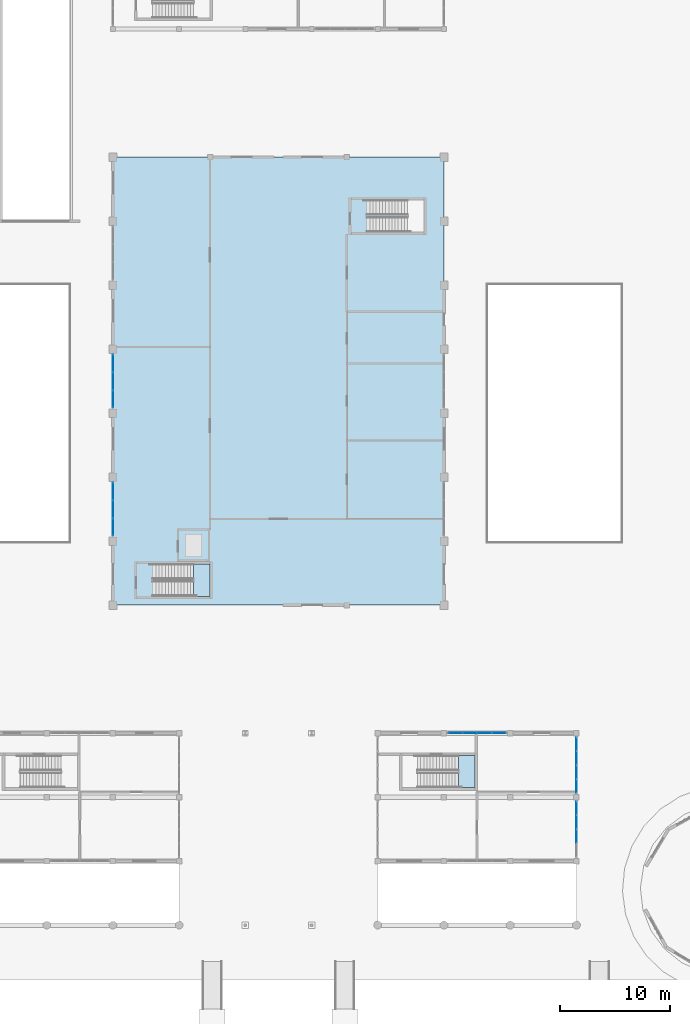
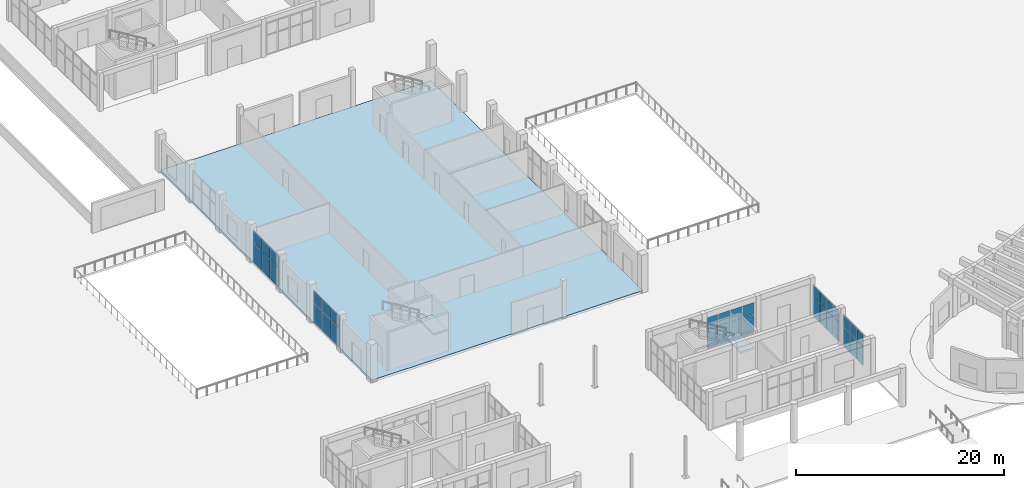
# One storey, part 73 of 132: 34 plates, 3 slabs, 7 elements without a shape of their own.
"""IFC4 building model written with IfcOpenShell, lengths in metres."""

from ifc_helpers import new_model, si_unit, direction, frame, origin, origin_2d, place, context, subcontext, project, spatial, polyline, rectangle, outline, extrude, material, layer, layer_set, type_object, element, aggregate, save


model = new_model("IFC4")

# Units and contexts
model_context = context("Model", 3, precision=1e-05, world=origin(), true_north=direction((0.0, 1.0)))
body_context = subcontext(model_context, "Body", "Model", "MODEL_VIEW")
ifc_project = project(units=[si_unit("LENGTHUNIT", "METRE"), si_unit("AREAUNIT", "SQUARE_METRE"), si_unit("VOLUMEUNIT", "CUBIC_METRE"), si_unit("PLANEANGLEUNIT", "RADIAN"), si_unit("MASSUNIT", "GRAM", prefix="KILO")], contexts=[model_context])

# Site, building, storey
site_placement = place(None, origin())
site = spatial("IfcSite", under=ifc_project, at=site_placement, CompositionType="ELEMENT")
building_placement = place(site_placement, origin())
building = spatial("IfcBuilding", under=site, at=building_placement, Name="Tanwirah Colonnade Gardens", CompositionType="ELEMENT")
storey_placement = place(building_placement, origin())
storey = spatial("IfcBuildingStorey", under=building, at=storey_placement, Name="L00", CompositionType="ELEMENT", Elevation=0.0)

# Curtain wall, plates
ifc_material_1 = material(Name="Bronze-anodised aluminium and solar-control low-E glass", Category="aluminium")
curtain_wall_type_1 = type_object("IfcCurtainWallType", Name="CW-SHP", PredefinedType="NOTDEFINED", material=ifc_material_1)
curtain_wall_1_placement = place(storey_placement, origin())
curtain_wall_1 = element("IfcCurtainWall", 1, at=curtain_wall_1_placement, inside=storey, type_object=curtain_wall_type_1, Name="Curtain Wall CW-SHP-E-L00-N-1", PredefinedType="NOTDEFINED")
ifc_material_2 = material(Name="Solar-control low-E double glazing", Category="glass")
ifc_layer_1 = layer(ifc_material_2, 0.028076171875)
ifc_layer_set_1 = layer_set([ifc_layer_1], Name="Solar-control low-E double glazing")
plate_type_1 = type_object("IfcPlateType", Name="CWP-GLZ28", PredefinedType="CURTAIN_PANEL", material=ifc_layer_set_1)
plate_1_placement = place(storey_placement, frame((109.027587890625, 28.199951171875, 0.06005859375), z_axis=(0.0, 0.0, 1.0), x_axis=(1.0, 0.0, 0.0)))
plate_1 = element("IfcPlate", 2, at=plate_1_placement, type_object=plate_type_1, Name="CW-SHP panel 1.1", PredefinedType="CURTAIN_PANEL", context=body_context, shape_type="SweptSolid", body=[
    extrude(rectangle(XDim=1.235107421875, YDim=0.028076171875, at=origin_2d()), origin(), (0.0, 0.0, 1.0), 2.235107421875),
])
plate_2_placement = place(storey_placement, frame((109.027587890625, 28.199951171875, 2.35498046875), z_axis=(0.0, 0.0, 1.0), x_axis=(1.0, 0.0, 0.0)))
plate_2 = element("IfcPlate", 3, at=plate_2_placement, type_object=plate_type_1, Name="CW-SHP panel 1.2", PredefinedType="CURTAIN_PANEL", context=body_context, shape_type="SweptSolid", body=[
    extrude(rectangle(XDim=1.235107421875, YDim=0.028076171875, at=origin_2d()), origin(), (0.0, 0.0, 1.0), 1.3349609375),
])
plate_3_placement = place(storey_placement, frame((110.33740234375, 28.199951171875, 0.06005859375), z_axis=(0.0, 0.0, 1.0), x_axis=(1.0, 0.0, 0.0)))
plate_3 = element("IfcPlate", 4, at=plate_3_placement, type_object=plate_type_1, Name="CW-SHP panel 2.1", PredefinedType="CURTAIN_PANEL", context=body_context, shape_type="SweptSolid", body=[
    extrude(rectangle(XDim=1.264892578125, YDim=0.028076171875, at=origin_2d()), origin(), (0.0, 0.0, 1.0), 2.235107421875),
])
plate_4_placement = place(storey_placement, frame((110.33740234375, 28.199951171875, 2.35498046875), z_axis=(0.0, 0.0, 1.0), x_axis=(1.0, 0.0, 0.0)))
plate_4 = element("IfcPlate", 5, at=plate_4_placement, type_object=plate_type_1, Name="CW-SHP panel 2.2", PredefinedType="CURTAIN_PANEL", context=body_context, shape_type="SweptSolid", body=[
    extrude(rectangle(XDim=1.264892578125, YDim=0.028076171875, at=origin_2d()), origin(), (0.0, 0.0, 1.0), 1.3349609375),
])
plate_5_placement = place(storey_placement, frame((111.66259765625, 28.199951171875, 0.06005859375), z_axis=(0.0, 0.0, 1.0), x_axis=(1.0, 0.0, 0.0)))
plate_5 = element("IfcPlate", 6, at=plate_5_placement, type_object=plate_type_1, Name="CW-SHP panel 3.1", PredefinedType="CURTAIN_PANEL", context=body_context, shape_type="SweptSolid", body=[
    extrude(rectangle(XDim=1.264892578125, YDim=0.028076171875, at=origin_2d()), origin(), (0.0, 0.0, 1.0), 2.235107421875),
])
plate_6_placement = place(storey_placement, frame((111.66259765625, 28.199951171875, 2.35498046875), z_axis=(0.0, 0.0, 1.0), x_axis=(1.0, 0.0, 0.0)))
plate_6 = element("IfcPlate", 7, at=plate_6_placement, type_object=plate_type_1, Name="CW-SHP panel 3.2", PredefinedType="CURTAIN_PANEL", context=body_context, shape_type="SweptSolid", body=[
    extrude(rectangle(XDim=1.264892578125, YDim=0.028076171875, at=origin_2d()), origin(), (0.0, 0.0, 1.0), 1.3349609375),
])
plate_7_placement = place(storey_placement, frame((112.972412109375, 28.199951171875, 0.06005859375), z_axis=(0.0, 0.0, 1.0), x_axis=(1.0, 0.0, 0.0)))
plate_7 = element("IfcPlate", 8, at=plate_7_placement, type_object=plate_type_1, Name="CW-SHP panel 4.1", PredefinedType="CURTAIN_PANEL", context=body_context, shape_type="SweptSolid", body=[
    extrude(rectangle(XDim=1.235107421875, YDim=0.028076171875, at=origin_2d()), origin(), (0.0, 0.0, 1.0), 2.235107421875),
])
plate_8_placement = place(storey_placement, frame((112.972412109375, 28.199951171875, 2.35498046875), z_axis=(0.0, 0.0, 1.0), x_axis=(1.0, 0.0, 0.0)))
plate_8 = element("IfcPlate", 9, at=plate_8_placement, type_object=plate_type_1, Name="CW-SHP panel 4.2", PredefinedType="CURTAIN_PANEL", context=body_context, shape_type="SweptSolid", body=[
    extrude(rectangle(XDim=1.235107421875, YDim=0.028076171875, at=origin_2d()), origin(), (0.0, 0.0, 1.0), 1.3349609375),
])
aggregate(curtain_wall_1, [plate_1, plate_2, plate_3, plate_4, plate_5, plate_6, plate_7, plate_8])

curtain_wall_2_placement = place(storey_placement, origin())
curtain_wall_2 = element("IfcCurtainWall", 10, at=curtain_wall_2_placement, inside=storey, type_object=curtain_wall_type_1, Name="Curtain Wall CW-SHP-E-L00-E-1", PredefinedType="NOTDEFINED")
plate_9_placement = place(storey_placement, frame((120.0, 18.862548828125, 0.06005859375), z_axis=(0.0, 0.0, 1.0), x_axis=(0.0, 1.0, 0.0)))
plate_9 = element("IfcPlate", 11, at=plate_9_placement, type_object=plate_type_1, Name="CW-SHP panel 2.1", PredefinedType="CURTAIN_PANEL", context=body_context, shape_type="SweptSolid", body=[
    extrude(rectangle(XDim=1.215087890625, YDim=0.028076171875, at=origin_2d()), origin(), (0.0, 0.0, 1.0), 2.235107421875),
])
plate_10_placement = place(storey_placement, frame((120.0, 18.862548828125, 2.35498046875), z_axis=(0.0, 0.0, 1.0), x_axis=(0.0, 1.0, 0.0)))
plate_10 = element("IfcPlate", 12, at=plate_10_placement, type_object=plate_type_1, Name="CW-SHP panel 2.2", PredefinedType="CURTAIN_PANEL", context=body_context, shape_type="SweptSolid", body=[
    extrude(rectangle(XDim=1.215087890625, YDim=0.028076171875, at=origin_2d()), origin(), (0.0, 0.0, 1.0), 1.3349609375),
])
plate_11_placement = place(storey_placement, frame((120.0, 20.137451171875, 0.06005859375), z_axis=(0.0, 0.0, 1.0), x_axis=(0.0, 1.0, 0.0)))
plate_11 = element("IfcPlate", 13, at=plate_11_placement, type_object=plate_type_1, Name="CW-SHP panel 3.1", PredefinedType="CURTAIN_PANEL", context=body_context, shape_type="SweptSolid", body=[
    extrude(rectangle(XDim=1.215087890625, YDim=0.028076171875, at=origin_2d()), origin(), (0.0, 0.0, 1.0), 2.235107421875),
])
plate_12_placement = place(storey_placement, frame((120.0, 20.137451171875, 2.35498046875), z_axis=(0.0, 0.0, 1.0), x_axis=(0.0, 1.0, 0.0)))
plate_12 = element("IfcPlate", 14, at=plate_12_placement, type_object=plate_type_1, Name="CW-SHP panel 3.2", PredefinedType="CURTAIN_PANEL", context=body_context, shape_type="SweptSolid", body=[
    extrude(rectangle(XDim=1.215087890625, YDim=0.028076171875, at=origin_2d()), origin(), (0.0, 0.0, 1.0), 1.3349609375),
])
plate_13_placement = place(storey_placement, frame((120.0, 21.3974609375, 0.06005859375), z_axis=(0.0, 0.0, 1.0), x_axis=(0.0, 1.0, 0.0)))
plate_13 = element("IfcPlate", 15, at=plate_13_placement, type_object=plate_type_1, Name="CW-SHP panel 4.1", PredefinedType="CURTAIN_PANEL", context=body_context, shape_type="SweptSolid", body=[
    extrude(rectangle(XDim=1.18505859375, YDim=0.028076171875, at=origin_2d()), origin(), (0.0, 0.0, 1.0), 2.235107421875),
])
plate_14_placement = place(storey_placement, frame((120.0, 21.3974609375, 2.35498046875), z_axis=(0.0, 0.0, 1.0), x_axis=(0.0, 1.0, 0.0)))
plate_14 = element("IfcPlate", 16, at=plate_14_placement, type_object=plate_type_1, Name="CW-SHP panel 4.2", PredefinedType="CURTAIN_PANEL", context=body_context, shape_type="SweptSolid", body=[
    extrude(rectangle(XDim=1.18505859375, YDim=0.028076171875, at=origin_2d()), origin(), (0.0, 0.0, 1.0), 1.3349609375),
])
aggregate(curtain_wall_2, [plate_9, plate_10, plate_11, plate_12, plate_13, plate_14])

curtain_wall_3_placement = place(storey_placement, origin())
curtain_wall_3 = element("IfcCurtainWall", 17, at=curtain_wall_3_placement, inside=storey, type_object=curtain_wall_type_1, Name="Curtain Wall CW-SHP-E-L00-E-2", PredefinedType="NOTDEFINED")
plate_15_placement = place(storey_placement, frame((120.0, 23.402587890625, 0.06005859375), z_axis=(0.0, 0.0, 1.0), x_axis=(0.0, 1.0, 0.0)))
plate_15 = element("IfcPlate", 18, at=plate_15_placement, type_object=plate_type_1, Name="CW-SHP panel 1.1", PredefinedType="CURTAIN_PANEL", context=body_context, shape_type="SweptSolid", body=[
    extrude(rectangle(XDim=1.18505859375, YDim=0.028076171875, at=origin_2d()), origin(), (0.0, 0.0, 1.0), 2.235107421875),
])
plate_16_placement = place(storey_placement, frame((120.0, 23.402587890625, 2.35498046875), z_axis=(0.0, 0.0, 1.0), x_axis=(0.0, 1.0, 0.0)))
plate_16 = element("IfcPlate", 19, at=plate_16_placement, type_object=plate_type_1, Name="CW-SHP panel 1.2", PredefinedType="CURTAIN_PANEL", context=body_context, shape_type="SweptSolid", body=[
    extrude(rectangle(XDim=1.18505859375, YDim=0.028076171875, at=origin_2d()), origin(), (0.0, 0.0, 1.0), 1.3349609375),
])
plate_17_placement = place(storey_placement, frame((120.0, 24.66259765625, 0.06005859375), z_axis=(0.0, 0.0, 1.0), x_axis=(0.0, 1.0, 0.0)))
plate_17 = element("IfcPlate", 20, at=plate_17_placement, type_object=plate_type_1, Name="CW-SHP panel 2.1", PredefinedType="CURTAIN_PANEL", context=body_context, shape_type="SweptSolid", body=[
    extrude(rectangle(XDim=1.215087890625, YDim=0.028076171875, at=origin_2d()), origin(), (0.0, 0.0, 1.0), 2.235107421875),
])
plate_18_placement = place(storey_placement, frame((120.0, 24.66259765625, 2.35498046875), z_axis=(0.0, 0.0, 1.0), x_axis=(0.0, 1.0, 0.0)))
plate_18 = element("IfcPlate", 21, at=plate_18_placement, type_object=plate_type_1, Name="CW-SHP panel 2.2", PredefinedType="CURTAIN_PANEL", context=body_context, shape_type="SweptSolid", body=[
    extrude(rectangle(XDim=1.215087890625, YDim=0.028076171875, at=origin_2d()), origin(), (0.0, 0.0, 1.0), 1.3349609375),
])
plate_19_placement = place(storey_placement, frame((120.0, 25.9375, 0.06005859375), z_axis=(0.0, 0.0, 1.0), x_axis=(0.0, 1.0, 0.0)))
plate_19 = element("IfcPlate", 22, at=plate_19_placement, type_object=plate_type_1, Name="CW-SHP panel 3.1", PredefinedType="CURTAIN_PANEL", context=body_context, shape_type="SweptSolid", body=[
    extrude(rectangle(XDim=1.215087890625, YDim=0.028076171875, at=origin_2d()), origin(), (0.0, 0.0, 1.0), 2.235107421875),
])
plate_20_placement = place(storey_placement, frame((120.0, 25.9375, 2.35498046875), z_axis=(0.0, 0.0, 1.0), x_axis=(0.0, 1.0, 0.0)))
plate_20 = element("IfcPlate", 23, at=plate_20_placement, type_object=plate_type_1, Name="CW-SHP panel 3.2", PredefinedType="CURTAIN_PANEL", context=body_context, shape_type="SweptSolid", body=[
    extrude(rectangle(XDim=1.215087890625, YDim=0.028076171875, at=origin_2d()), origin(), (0.0, 0.0, 1.0), 1.3349609375),
])
plate_21_placement = place(storey_placement, frame((120.0, 27.197509765625, 0.06005859375), z_axis=(0.0, 0.0, 1.0), x_axis=(0.0, 1.0, 0.0)))
plate_21 = element("IfcPlate", 24, at=plate_21_placement, type_object=plate_type_1, Name="CW-SHP panel 4.1", PredefinedType="CURTAIN_PANEL", context=body_context, shape_type="SweptSolid", body=[
    extrude(rectangle(XDim=1.18505859375, YDim=0.028076171875, at=origin_2d()), origin(), (0.0, 0.0, 1.0), 2.235107421875),
])
plate_22_placement = place(storey_placement, frame((120.0, 27.197509765625, 2.35498046875), z_axis=(0.0, 0.0, 1.0), x_axis=(0.0, 1.0, 0.0)))
plate_22 = element("IfcPlate", 25, at=plate_22_placement, type_object=plate_type_1, Name="CW-SHP panel 4.2", PredefinedType="CURTAIN_PANEL", context=body_context, shape_type="SweptSolid", body=[
    extrude(rectangle(XDim=1.18505859375, YDim=0.028076171875, at=origin_2d()), origin(), (0.0, 0.0, 1.0), 1.3349609375),
])
aggregate(curtain_wall_3, [plate_15, plate_16, plate_17, plate_18, plate_19, plate_20, plate_21, plate_22])

curtain_wall_type_2 = type_object("IfcCurtainWallType", Name="CW-HALL", PredefinedType="NOTDEFINED", material=ifc_material_1)
curtain_wall_4_placement = place(storey_placement, origin())
curtain_wall_4 = element("IfcCurtainWall", 26, at=curtain_wall_4_placement, inside=storey, type_object=curtain_wall_type_2, Name="Curtain Wall CW-HALL-L00-W-2", PredefinedType="NOTDEFINED")
ifc_material_3 = material(Name="Insulated bronze aluminium spandrel panel", Category="aluminium")
ifc_layer_2 = layer(ifc_material_3, 0.035888671875)
ifc_layer_set_2 = layer_set([ifc_layer_2], Name="Insulated bronze aluminium spandrel panel")
plate_type_2 = type_object("IfcPlateType", Name="CWP-SPN36", PredefinedType="CURTAIN_PANEL", material=ifc_layer_set_2)
plate_23_placement = place(storey_placement, frame((78.0, 46.8828125, 0.06494140625), z_axis=(0.0, 0.0, 1.0), x_axis=(0.0, 1.0, 0.0)))
plate_23 = element("IfcPlate", 27, at=plate_23_placement, type_object=plate_type_2, Name="CW-HALL panel 1.1", PredefinedType="CURTAIN_PANEL", context=body_context, shape_type="SweptSolid", body=[
    extrude(rectangle(XDim=1.535888671875, YDim=0.035888671875, at=origin_2d()), origin(), (0.0, 0.0, 1.0), 2.2275390625),
])
plate_24_placement = place(storey_placement, frame((78.0, 46.8828125, 2.357421875), z_axis=(0.0, 0.0, 1.0), x_axis=(0.0, 1.0, 0.0)))
plate_24 = element("IfcPlate", 28, at=plate_24_placement, type_object=plate_type_2, Name="CW-HALL panel 1.2", PredefinedType="CURTAIN_PANEL", context=body_context, shape_type="SweptSolid", body=[
    extrude(rectangle(XDim=1.535888671875, YDim=0.035888671875, at=origin_2d()), origin(), (0.0, 0.0, 1.0), 1.327392578125),
])
plate_25_placement = place(storey_placement, frame((78.0, 48.5, 0.06494140625), z_axis=(0.0, 0.0, 1.0), x_axis=(0.0, 1.0, 0.0)))
plate_25 = element("IfcPlate", 29, at=plate_25_placement, type_object=plate_type_2, Name="CW-HALL panel 2.1", PredefinedType="CURTAIN_PANEL", context=body_context, shape_type="SweptSolid", body=[
    extrude(rectangle(XDim=1.568359375, YDim=0.035888671875, at=origin_2d()), origin(), (0.0, 0.0, 1.0), 2.2275390625),
])
plate_26_placement = place(storey_placement, frame((78.0, 48.5, 2.357421875), z_axis=(0.0, 0.0, 1.0), x_axis=(0.0, 1.0, 0.0)))
plate_26 = element("IfcPlate", 30, at=plate_26_placement, type_object=plate_type_2, Name="CW-HALL panel 2.2", PredefinedType="CURTAIN_PANEL", context=body_context, shape_type="SweptSolid", body=[
    extrude(rectangle(XDim=1.568359375, YDim=0.035888671875, at=origin_2d()), origin(), (0.0, 0.0, 1.0), 1.327392578125),
])
plate_27_placement = place(storey_placement, frame((78.0, 50.1171875, 0.06494140625), z_axis=(0.0, 0.0, 1.0), x_axis=(0.0, 1.0, 0.0)))
plate_27 = element("IfcPlate", 31, at=plate_27_placement, type_object=plate_type_2, Name="CW-HALL panel 3.1", PredefinedType="CURTAIN_PANEL", context=body_context, shape_type="SweptSolid", body=[
    extrude(rectangle(XDim=1.535888671875, YDim=0.035888671875, at=origin_2d()), origin(), (0.0, 0.0, 1.0), 2.2275390625),
])
plate_28_placement = place(storey_placement, frame((78.0, 50.1171875, 2.357421875), z_axis=(0.0, 0.0, 1.0), x_axis=(0.0, 1.0, 0.0)))
plate_28 = element("IfcPlate", 32, at=plate_28_placement, type_object=plate_type_2, Name="CW-HALL panel 3.2", PredefinedType="CURTAIN_PANEL", context=body_context, shape_type="SweptSolid", body=[
    extrude(rectangle(XDim=1.535888671875, YDim=0.035888671875, at=origin_2d()), origin(), (0.0, 0.0, 1.0), 1.327392578125),
])
aggregate(curtain_wall_4, [plate_23, plate_24, plate_25, plate_26, plate_27, plate_28])

curtain_wall_5_placement = place(storey_placement, origin())
curtain_wall_5 = element("IfcCurtainWall", 33, at=curtain_wall_5_placement, inside=storey, type_object=curtain_wall_type_2, Name="Curtain Wall CW-HALL-L00-W-4", PredefinedType="NOTDEFINED")
plate_29_placement = place(storey_placement, frame((78.0, 58.48291015625, 0.06494140625), z_axis=(0.0, 0.0, 1.0), x_axis=(0.0, 1.0, 0.0)))
plate_29 = element("IfcPlate", 34, at=plate_29_placement, type_object=plate_type_2, Name="CW-HALL panel 1.1", PredefinedType="CURTAIN_PANEL", context=body_context, shape_type="SweptSolid", body=[
    extrude(rectangle(XDim=1.535888671875, YDim=0.035888671875, at=origin_2d()), origin(), (0.0, 0.0, 1.0), 2.2275390625),
])
plate_30_placement = place(storey_placement, frame((78.0, 58.48291015625, 2.357421875), z_axis=(0.0, 0.0, 1.0), x_axis=(0.0, 1.0, 0.0)))
plate_30 = element("IfcPlate", 35, at=plate_30_placement, type_object=plate_type_2, Name="CW-HALL panel 1.2", PredefinedType="CURTAIN_PANEL", context=body_context, shape_type="SweptSolid", body=[
    extrude(rectangle(XDim=1.535888671875, YDim=0.035888671875, at=origin_2d()), origin(), (0.0, 0.0, 1.0), 1.327392578125),
])
plate_31_placement = place(storey_placement, frame((78.0, 60.10009765625, 0.06494140625), z_axis=(0.0, 0.0, 1.0), x_axis=(0.0, 1.0, 0.0)))
plate_31 = element("IfcPlate", 36, at=plate_31_placement, type_object=plate_type_2, Name="CW-HALL panel 2.1", PredefinedType="CURTAIN_PANEL", context=body_context, shape_type="SweptSolid", body=[
    extrude(rectangle(XDim=1.568359375, YDim=0.035888671875, at=origin_2d()), origin(), (0.0, 0.0, 1.0), 2.2275390625),
])
plate_32_placement = place(storey_placement, frame((78.0, 60.10009765625, 2.357421875), z_axis=(0.0, 0.0, 1.0), x_axis=(0.0, 1.0, 0.0)))
plate_32 = element("IfcPlate", 37, at=plate_32_placement, type_object=plate_type_2, Name="CW-HALL panel 2.2", PredefinedType="CURTAIN_PANEL", context=body_context, shape_type="SweptSolid", body=[
    extrude(rectangle(XDim=1.568359375, YDim=0.035888671875, at=origin_2d()), origin(), (0.0, 0.0, 1.0), 1.327392578125),
])
plate_33_placement = place(storey_placement, frame((78.0, 61.717041015625, 0.06494140625), z_axis=(0.0, 0.0, 1.0), x_axis=(0.0, 1.0, 0.0)))
plate_33 = element("IfcPlate", 38, at=plate_33_placement, type_object=plate_type_2, Name="CW-HALL panel 3.1", PredefinedType="CURTAIN_PANEL", context=body_context, shape_type="SweptSolid", body=[
    extrude(rectangle(XDim=1.535888671875, YDim=0.035888671875, at=origin_2d()), origin(), (0.0, 0.0, 1.0), 2.2275390625),
])
plate_34_placement = place(storey_placement, frame((78.0, 61.717041015625, 2.357421875), z_axis=(0.0, 0.0, 1.0), x_axis=(0.0, 1.0, 0.0)))
plate_34 = element("IfcPlate", 39, at=plate_34_placement, type_object=plate_type_2, Name="CW-HALL panel 3.2", PredefinedType="CURTAIN_PANEL", context=body_context, shape_type="SweptSolid", body=[
    extrude(rectangle(XDim=1.535888671875, YDim=0.035888671875, at=origin_2d()), origin(), (0.0, 0.0, 1.0), 1.327392578125),
])
aggregate(curtain_wall_5, [plate_29, plate_30, plate_31, plate_32, plate_33, plate_34])

# Slab
ifc_material_4 = material(Name="Concrete C45/55", Category="concrete")
ifc_layer_3 = layer(ifc_material_4, 0.294921875)
ifc_layer_set_3 = layer_set([ifc_layer_3], Name="Concrete C45/55")
slab_type_1 = type_object("IfcSlabType", Name="SL-HALL-295", PredefinedType="FLOOR", material=ifc_layer_set_3)
slab_1_placement = place(storey_placement, frame((0.0, 0.0, -0.294921875)))
element("IfcSlab", 40, at=slab_1_placement, inside=storey, type_object=slab_type_1, Name="Community Hall L00 Ground Floor Slab", PredefinedType="FLOOR", context=body_context, shape_type="SweptSolid", body=[
    extrude(outline(polyline([(108.0, 39.800048828125), (108.0, 80.39990234375), (78.0, 80.39990234375), (78.0, 39.800048828125), (108.0, 39.800048828125)])), origin(), (0.0, 0.0, 1.0), 0.294921875),
])

# Stair, slab
ifc_material_5 = material(Name="Precast concrete C40/50", Category="concrete")
stair_type = type_object("IfcStairType", Name="ST-PAV170", PredefinedType="HALF_TURN_STAIR", material=ifc_material_5)
stair_1_placement = place(storey_placement, origin())
stair_1 = element("IfcStair", 41, at=stair_1_placement, inside=storey, type_object=stair_type, Name="L00 Community Hall SW Exit Stair", PredefinedType="HALF_TURN_STAIR")
ifc_layer_4 = layer(ifc_material_5, 0.205078125)
ifc_layer_set_4 = layer_set([ifc_layer_4], Name="Precast concrete C40/50")
slab_type_2 = type_object("IfcSlabType", Name="SL-LND-205", PredefinedType="LANDING", material=ifc_layer_set_4)
slab_2_placement = place(storey_placement, frame((0.0, 0.0, 2.175048828125)))
slab_2 = element("IfcSlab", 42, at=slab_2_placement, type_object=slab_type_2, Name="ST-H1 landing 1", PredefinedType="LANDING", context=body_context, shape_type="SweptSolid", body=[
    extrude(outline(polyline([(85.304931640625, 40.60009765625), (86.800048828125, 40.60009765625), (86.800048828125, 43.52001953125), (85.304931640625, 43.52001953125), (85.304931640625, 40.60009765625)])), origin(), (0.0, 0.0, 1.0), 0.204833984375),
])
aggregate(stair_1, [slab_2])

stair_2_placement = place(storey_placement, origin())
stair_2 = element("IfcStair", 43, at=stair_2_placement, inside=storey, type_object=stair_type, Name="L00 East Boulevard Shops Exit Stair", PredefinedType="HALF_TURN_STAIR")
slab_3_placement = place(storey_placement, frame((0.0, 0.0, 2.175048828125)))
slab_3 = element("IfcSlab", 44, at=slab_3_placement, type_object=slab_type_2, Name="ST-SE landing 1", PredefinedType="LANDING", context=body_context, shape_type="SweptSolid", body=[
    extrude(outline(polyline([(109.304931640625, 23.25), (110.800048828125, 23.25), (110.800048828125, 26.169921875), (109.304931640625, 26.169921875), (109.304931640625, 23.25)])), origin(), (0.0, 0.0, 1.0), 0.204833984375),
])
aggregate(stair_2, [slab_3])

save(model, "model.ifc")
